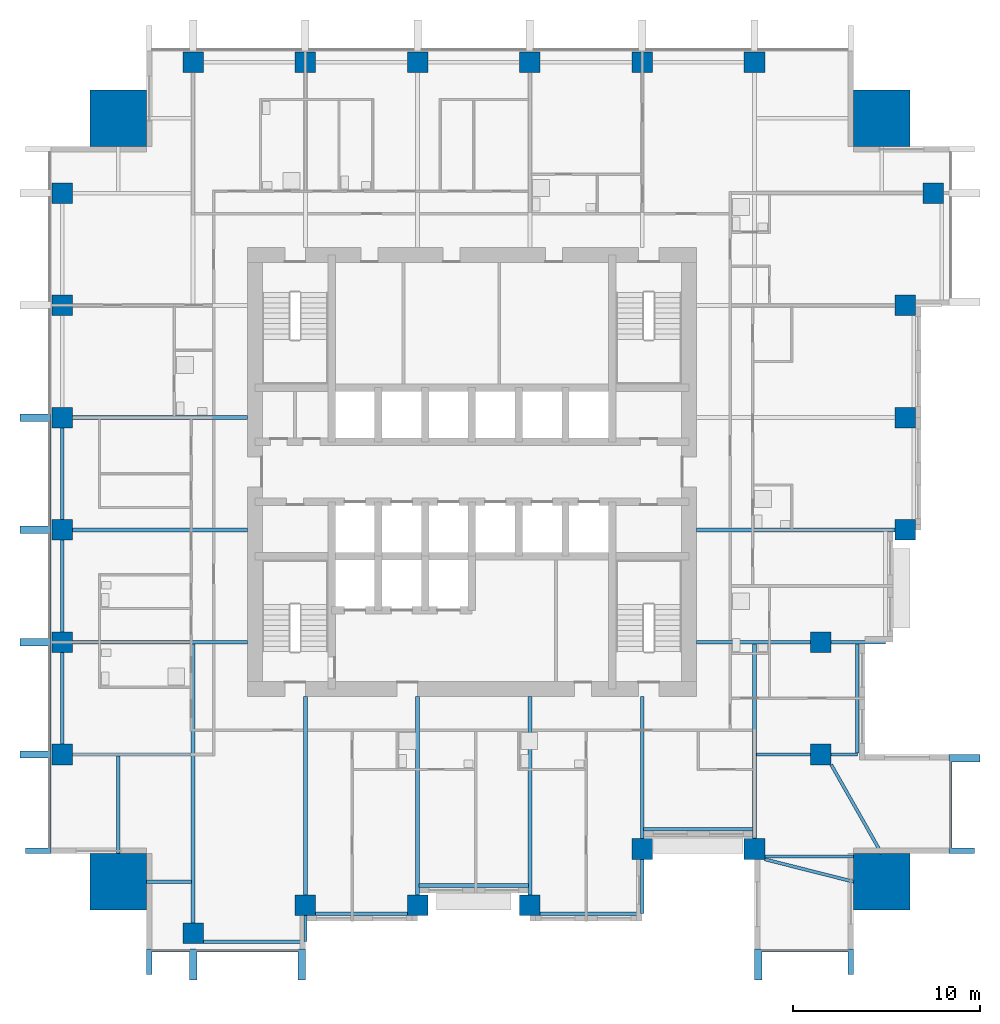
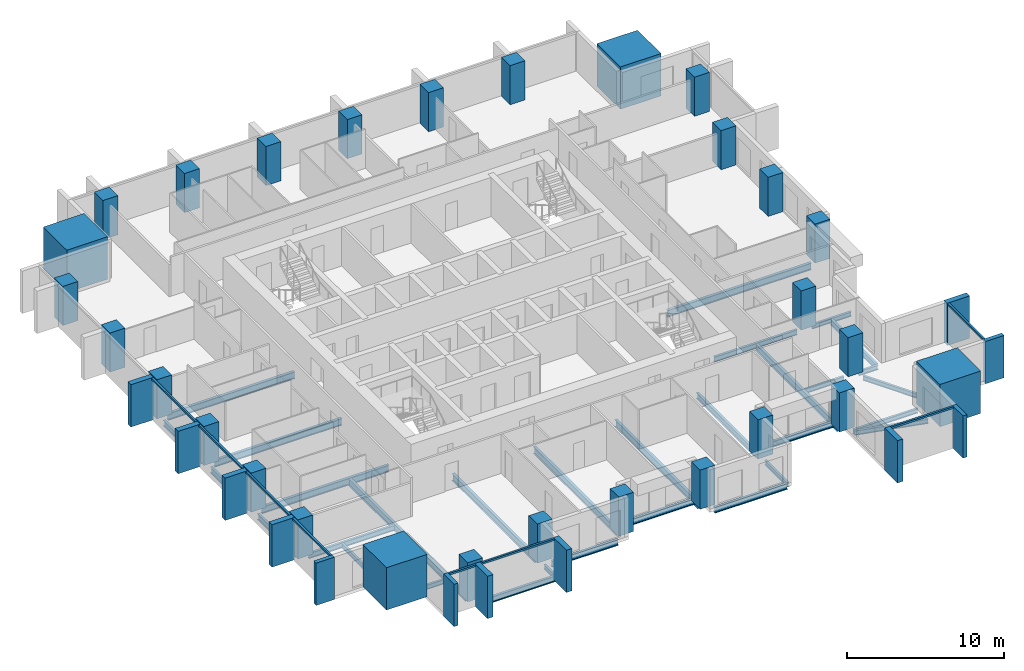
# One storey, part 1 of 10: 31 beams, 28 columns, 20 members, 4 elements without a shape of their own.
"""IFC4 building model written with IfcOpenShell, lengths in metres."""

from ifc_helpers import new_model, si_unit, direction, frame, origin, origin_2d, place, context, subcontext, project, spatial, rectangle, i_section, extrude, material, material_profile, profile_set, type_object, element, aggregate, save


model = new_model("IFC4")

# Units and contexts
model_context = context("Model", 3, precision=1e-05, world=origin(), true_north=direction((0.0, 1.0)))
body_context = subcontext(model_context, "Body", "Model", "MODEL_VIEW")
ifc_project = project(units=[si_unit("LENGTHUNIT", "METRE"), si_unit("AREAUNIT", "SQUARE_METRE"), si_unit("VOLUMEUNIT", "CUBIC_METRE"), si_unit("PLANEANGLEUNIT", "RADIAN"), si_unit("MASSUNIT", "GRAM", prefix="KILO")], contexts=[model_context])

# Site, building, storey
site_placement = place(None, origin())
site = spatial("IfcSite", under=ifc_project, at=site_placement, CompositionType="ELEMENT")
building_placement = place(site_placement, origin())
building = spatial("IfcBuilding", under=site, at=building_placement, Name="Amberfall Residences", CompositionType="ELEMENT")
storey_placement = place(building_placement, frame((0.0, 0.0, 118.300048828125)))
storey = spatial("IfcBuildingStorey", under=building, at=storey_placement, Name="L32", CompositionType="ELEMENT", Elevation=118.300048828125)

# Columns
ifc_material_1 = material(Name="Concrete C70", Category="concrete")
ifc_material_profile_1 = material_profile(ifc_material_1, rectangle(XDim=1.10009765625, YDim=1.10009765625, at=origin_2d()), Name="Column 1100 x 1100 C70")
ifc_profile_set_1 = profile_set([ifc_material_profile_1], Name="Concrete C70")
column_type_1 = type_object("IfcColumnType", Name="Column 1100 x 1100 C70", PredefinedType="COLUMN", material=ifc_profile_set_1)
for number, where, z_axis, x_axis, name in (
    (1, (59.60009765625, 20.85009765625, 0.0), (0.0, 0.0, 1.0), (1.0, 0.0, 0.0), "Column C2 L32 S1"),
    (2, (65.60009765625, 22.35009765625, 0.0), (0.0, 0.0, 1.0), (1.0, 0.0, 0.0), "Column C2 L32 S2"),
    (3, (71.60009765625, 22.35009765625, 0.0), (0.0, 0.0, 1.0), (1.0, 0.0, 0.0), "Column C2 L32 S3"),
    (4, (77.60009765625, 22.35009765625, 0.0), (0.0, 0.0, 1.0), (1.0, 0.0, 0.0), "Column C2 L32 S4"),
    (5, (83.60009765625, 25.35009765625, 0.0), (0.0, 0.0, 1.0), (1.0, 0.0, 0.0), "Column C2 L32 S5"),
    (6, (89.60009765625, 25.35009765625, 0.0), (0.0, 0.0, 1.0), (1.0, 0.0, 0.0), "Column C2 L32 S6"),
    (7, (93.14990234375, 30.39990234375, 0.0), (0.0, 0.0, 1.0), (1.0, 0.0, 0.0), "Column C2 L32 E1"),
    (8, (93.14990234375, 36.39990234375, 0.0), (0.0, 0.0, 1.0), (1.0, 0.0, 0.0), "Column C2 L32 E2"),
    (9, (97.64990234375, 42.39990234375, 0.0), (0.0, 0.0, 1.0), (1.0, 0.0, 0.0), "Column C2 L32 E3"),
    (10, (97.64990234375, 48.39990234375, 0.0), (0.0, 0.0, 1.0), (1.0, 0.0, 0.0), "Column C2 L32 E4"),
    (11, (97.64990234375, 54.39990234375, 0.0), (0.0, 0.0, 1.0), (1.0, 0.0, 0.0), "Column C2 L32 E5"),
    (12, (99.14990234375, 60.39990234375, 0.0), (0.0, 0.0, 1.0), (1.0, 0.0, 0.0), "Column C2 L32 E6"),
    (13, (59.60009765625, 67.39990234375, 0.0), (0.0, 0.0, 1.0), (1.0, 0.0, 0.0), "Column C2 L32 N1"),
    (14, (65.60009765625, 67.39990234375, 0.0), (0.0, 0.0, 1.0), (1.0, 0.0, 0.0), "Column C2 L32 N2"),
    (15, (71.60009765625, 67.39990234375, 0.0), (0.0, 0.0, 1.0), (1.0, 0.0, 0.0), "Column C2 L32 N3"),
    (16, (77.60009765625, 67.39990234375, 0.0), (0.0, 0.0, 1.0), (1.0, 0.0, 0.0), "Column C2 L32 N4"),
    (17, (83.60009765625, 67.39990234375, 0.0), (0.0, 0.0, 1.0), (1.0, 0.0, 0.0), "Column C2 L32 N5"),
    (18, (89.60009765625, 67.39990234375, 0.0), (0.0, 0.0, 1.0), (1.0, 0.0, 0.0), "Column C2 L32 N6"),
    (19, (52.60009765625, 30.39990234375, 0.0), (0.0, 0.0, 1.0), (1.0, 0.0, 0.0), "Column C2 L32 W1"),
    (20, (52.60009765625, 36.39990234375, 0.0), (0.0, 0.0, 1.0), (1.0, 0.0, 0.0), "Column C2 L32 W2"),
    (21, (52.60009765625, 42.39990234375, 0.0), (0.0, 0.0, 1.0), (1.0, 0.0, 0.0), "Column C2 L32 W3"),
    (22, (52.60009765625, 48.39990234375, 0.0), (0.0, 0.0, 1.0), (1.0, 0.0, 0.0), "Column C2 L32 W4"),
    (23, (52.60009765625, 54.39990234375, 0.0), (0.0, 0.0, 1.0), (1.0, 0.0, 0.0), "Column C2 L32 W5"),
    (24, (52.60009765625, 60.39990234375, 0.0), (0.0, 0.0, 1.0), (1.0, 0.0, 0.0), "Column C2 L32 W6"),
):
    element("IfcColumn", number, at=place(storey_placement, frame(where, z_axis=z_axis, x_axis=x_axis)), inside=storey, type_object=column_type_1, Name=name, PredefinedType="COLUMN", context=body_context, shape_type="SweptSolid", body=[
        extrude(rectangle(XDim=1.10009765625, YDim=1.10009765625, at=origin_2d()), origin(), (0.0, 0.0, 1.0), 3.050048828125),
    ])
ifc_material_profile_2 = material_profile(ifc_material_1, rectangle(XDim=3.0, YDim=3.0, at=origin_2d()), Name="Mega column 3000 x 3000 C70")
ifc_profile_set_2 = profile_set([ifc_material_profile_2], Name="Concrete C70")
column_type_2 = type_object("IfcColumnType", Name="Mega column 3000 x 3000 C70", PredefinedType="COLUMN", material=ifc_profile_set_2)
for number, where, z_axis, x_axis, name in (
    (25, (55.60009765625, 23.60009765625, 0.0), (0.0, 0.0, 1.0), (1.0, 0.0, 0.0), "Mega column MC2 L32 SW"),
    (26, (96.39990234375, 23.60009765625, 0.0), (0.0, 0.0, 1.0), (1.0, 0.0, 0.0), "Mega column MC2 L32 SE"),
    (27, (96.39990234375, 64.39990234375, 0.0), (0.0, 0.0, 1.0), (1.0, 0.0, 0.0), "Mega column MC2 L32 NE"),
    (28, (55.60009765625, 64.39990234375, 0.0), (0.0, 0.0, 1.0), (1.0, 0.0, 0.0), "Mega column MC2 L32 NW"),
):
    element("IfcColumn", number, at=place(storey_placement, frame(where, z_axis=z_axis, x_axis=x_axis)), inside=storey, type_object=column_type_2, Name=name, PredefinedType="COLUMN", context=body_context, shape_type="SweptSolid", body=[
        extrude(rectangle(XDim=3.0, YDim=3.0, at=origin_2d()), origin(), (0.0, 0.0, 1.0), 3.300048828125),
    ])

# Curtain wall, members
ifc_material_2 = material(Name="Bronze anodised aluminium and glass", Category="aluminium")
curtain_wall_type = type_object("IfcCurtainWallType", Name="Curtain wall CW1 tower unit", PredefinedType="USERDEFINED", material=ifc_material_2)
curtain_wall_1_placement = place(storey_placement, origin())
curtain_wall_1 = element("IfcCurtainWall", 29, at=curtain_wall_1_placement, inside=storey, type_object=curtain_wall_type, Name="Curtain wall L32 S S1", ObjectType="UNITISED CURTAIN WALL", PredefinedType="USERDEFINED")
ifc_material_3 = material(Name="Bronze anodised aluminium", Category="aluminium")
ifc_material_profile_3 = material_profile(ifc_material_3, rectangle(XDim=0.14990234375, YDim=0.14990234375, at=origin_2d()), Name="CW1 transom 150 x 150 bronze")
ifc_profile_set_3 = profile_set([ifc_material_profile_3], Name="Bronze anodised aluminium")
member_type_1 = type_object("IfcMemberType", Name="CW1 transom 150 x 150 bronze", PredefinedType="USERDEFINED", material=ifc_profile_set_3)
member_1_placement = place(storey_placement, frame((57.39990234375, 19.925048828125, 2.974853515625), z_axis=(1.0, 0.0, 0.0), x_axis=(0.0, 1.0, 0.0)))
member_1 = element("IfcMember", 30, at=member_1_placement, type_object=member_type_1, Name="CW1 transom 1.1", ObjectType="TRANSOM", PredefinedType="USERDEFINED", context=body_context, shape_type="SweptSolid", body=[
    extrude(rectangle(XDim=0.14990234375, YDim=0.14990234375, at=origin_2d()), origin(), (0.0, 0.0, 1.0), 2.0),
])
member_2_placement = place(storey_placement, frame((59.800048828125, 19.925048828125, 2.974853515625), z_axis=(1.0, 0.0, 0.0), x_axis=(0.0, 1.0, 0.0)))
member_2 = element("IfcMember", 31, at=member_2_placement, type_object=member_type_1, Name="CW1 transom 2.1", ObjectType="TRANSOM", PredefinedType="USERDEFINED", context=body_context, shape_type="SweptSolid", body=[
    extrude(rectangle(XDim=0.14990234375, YDim=0.14990234375, at=origin_2d()), origin(), (0.0, 0.0, 1.0), 5.39990234375),
])

# Curtain wall, member
curtain_wall_2_placement = place(storey_placement, origin())
curtain_wall_2 = element("IfcCurtainWall", 32, at=curtain_wall_2_placement, inside=storey, type_object=curtain_wall_type, Name="Curtain wall L32 S S11", ObjectType="UNITISED CURTAIN WALL", PredefinedType="USERDEFINED")
member_3_placement = place(storey_placement, frame((90.0, 19.925048828125, 2.974853515625), z_axis=(1.0, 0.0, 0.0), x_axis=(0.0, 1.0, 0.0)))
member_3 = element("IfcMember", 33, at=member_3_placement, type_object=member_type_1, Name="CW1 transom 1.1", ObjectType="TRANSOM", PredefinedType="USERDEFINED", context=body_context, shape_type="SweptSolid", body=[
    extrude(rectangle(XDim=0.14990234375, YDim=0.14990234375, at=origin_2d()), origin(), (0.0, 0.0, 1.0), 4.60009765625),
])

curtain_wall_3_placement = place(storey_placement, origin())
curtain_wall_3 = element("IfcCurtainWall", 34, at=curtain_wall_3_placement, inside=storey, type_object=curtain_wall_type, Name="Curtain wall L32 E E1", ObjectType="UNITISED CURTAIN WALL", PredefinedType="USERDEFINED")
member_4_placement = place(storey_placement, frame((100.074951171875, 25.39990234375, 2.974853515625), z_axis=(0.0, 1.0, 0.0), x_axis=(-1.0, 0.0, 0.0)))
member_4 = element("IfcMember", 35, at=member_4_placement, type_object=member_type_1, Name="CW1 transom 1.1", ObjectType="TRANSOM", PredefinedType="USERDEFINED", context=body_context, shape_type="SweptSolid", body=[
    extrude(rectangle(XDim=0.14990234375, YDim=0.14990234375, at=origin_2d()), origin(), (0.0, 0.0, 1.0), 4.60009765625),
])

# Curtain wall, members
curtain_wall_4_placement = place(storey_placement, origin())
curtain_wall_4 = element("IfcCurtainWall", 36, at=curtain_wall_4_placement, inside=storey, type_object=curtain_wall_type, Name="Curtain wall L32 W W1", ObjectType="UNITISED CURTAIN WALL", PredefinedType="USERDEFINED")
member_5_placement = place(storey_placement, frame((51.925048828125, 48.199951171875, 2.974853515625), z_axis=(0.0, -1.0, 0.0), x_axis=(1.0, 0.0, 0.0)))
member_5 = element("IfcMember", 37, at=member_5_placement, type_object=member_type_1, Name="CW1 transom 4.1", ObjectType="TRANSOM", PredefinedType="USERDEFINED", context=body_context, shape_type="SweptSolid", body=[
    extrude(rectangle(XDim=0.14990234375, YDim=0.14990234375, at=origin_2d()), origin(), (0.0, 0.0, 1.0), 5.599853515625),
])
member_6_placement = place(storey_placement, frame((51.925048828125, 42.199951171875, 2.974853515625), z_axis=(0.0, -1.0, 0.0), x_axis=(1.0, 0.0, 0.0)))
member_6 = element("IfcMember", 38, at=member_6_placement, type_object=member_type_1, Name="CW1 transom 5.1", ObjectType="TRANSOM", PredefinedType="USERDEFINED", context=body_context, shape_type="SweptSolid", body=[
    extrude(rectangle(XDim=0.14990234375, YDim=0.14990234375, at=origin_2d()), origin(), (0.0, 0.0, 1.0), 5.599853515625),
])
member_7_placement = place(storey_placement, frame((51.925048828125, 36.199951171875, 2.974853515625), z_axis=(0.0, -1.0, 0.0), x_axis=(1.0, 0.0, 0.0)))
member_7 = element("IfcMember", 39, at=member_7_placement, type_object=member_type_1, Name="CW1 transom 6.1", ObjectType="TRANSOM", PredefinedType="USERDEFINED", context=body_context, shape_type="SweptSolid", body=[
    extrude(rectangle(XDim=0.14990234375, YDim=0.14990234375, at=origin_2d()), origin(), (0.0, 0.0, 1.0), 5.599853515625),
])
member_8_placement = place(storey_placement, frame((51.925048828125, 30.199951171875, 2.974853515625), z_axis=(0.0, -1.0, 0.0), x_axis=(1.0, 0.0, 0.0)))
member_8 = element("IfcMember", 40, at=member_8_placement, type_object=member_type_1, Name="CW1 transom 7.1", ObjectType="TRANSOM", PredefinedType="USERDEFINED", context=body_context, shape_type="SweptSolid", body=[
    extrude(rectangle(XDim=0.14990234375, YDim=0.14990234375, at=origin_2d()), origin(), (0.0, 0.0, 1.0), 4.800048828125),
])

# Beams
ifc_material_4 = material(Name="Steel S355", Category="steel")
ifc_material_profile_4 = material_profile(ifc_material_4, i_section(OverallWidth=0.171142578125, OverallDepth=0.351318359375, WebThickness=0.007080078125, FlangeThickness=0.009765625, FilletRadius=0.01025390625, at=origin_2d()), Name="UB 356x171x45")
ifc_profile_set_4 = profile_set([ifc_material_profile_4], Name="Steel S355")
beam_type_1 = type_object("IfcBeamType", Name="Cantilever girder UB 356x171x45", PredefinedType="BEAM", material=ifc_profile_set_4)
beam_1_placement = place(storey_placement, frame((65.60009765625, 21.800048828125, -0.42578125), z_axis=(0.0, -1.0, 0.0), x_axis=(1.0, 0.0, 0.0)))
element("IfcBeam", 41, at=beam_1_placement, inside=storey, type_object=beam_type_1, Name="Cantilever girder B8 L32 06", PredefinedType="BEAM", context=body_context, shape_type="SweptSolid", body=[
    extrude(i_section(OverallWidth=0.171142578125, OverallDepth=0.351318359375, WebThickness=0.007080078125, FlangeThickness=0.009765625, FilletRadius=0.01025390625, at=origin_2d()), origin(), (0.0, 0.0, 1.0), 1.400146484375),
])
beam_2_placement = place(storey_placement, frame((83.60009765625, 24.800048828125, -0.42578125), z_axis=(0.0, -1.0, 0.0), x_axis=(1.0, 0.0, 0.0)))
element("IfcBeam", 42, at=beam_2_placement, inside=storey, type_object=beam_type_1, Name="Cantilever girder B8 L32 07", PredefinedType="BEAM", context=body_context, shape_type="SweptSolid", body=[
    extrude(i_section(OverallWidth=0.171142578125, OverallDepth=0.351318359375, WebThickness=0.007080078125, FlangeThickness=0.009765625, FilletRadius=0.01025390625, at=origin_2d()), origin(), (0.0, 0.0, 1.0), 2.900146484375),
])
beam_3_placement = place(storey_placement, frame((93.699951171875, 30.39990234375, -0.42578125), z_axis=(1.0, 0.0, 0.0), x_axis=(0.0, 1.0, 0.0)))
element("IfcBeam", 43, at=beam_3_placement, inside=storey, type_object=beam_type_1, Name="Cantilever girder B8 L32 19", PredefinedType="BEAM", context=body_context, shape_type="SweptSolid", body=[
    extrude(i_section(OverallWidth=0.171142578125, OverallDepth=0.351318359375, WebThickness=0.007080078125, FlangeThickness=0.009765625, FilletRadius=0.01025390625, at=origin_2d()), origin(), (0.0, 0.0, 1.0), 1.400146484375),
])
beam_4_placement = place(storey_placement, frame((93.699951171875, 36.39990234375, -0.42578125), z_axis=(1.0, 0.0, 0.0), x_axis=(0.0, 1.0, 0.0)))
element("IfcBeam", 44, at=beam_4_placement, inside=storey, type_object=beam_type_1, Name="Cantilever girder B8 L32 20", PredefinedType="BEAM", context=body_context, shape_type="SweptSolid", body=[
    extrude(i_section(OverallWidth=0.171142578125, OverallDepth=0.351318359375, WebThickness=0.007080078125, FlangeThickness=0.009765625, FilletRadius=0.01025390625, at=origin_2d()), origin(), (0.0, 0.0, 1.0), 2.900146484375),
])

# Member
ifc_material_profile_5 = material_profile(ifc_material_3, rectangle(XDim=1.35009765625, YDim=0.300048828125, at=origin_2d()), Name="Corner fin 300 x 1350 bronze")
ifc_profile_set_5 = profile_set([ifc_material_profile_5], Name="Bronze anodised aluminium")
member_type_2 = type_object("IfcMemberType", Name="Corner fin 300 x 1350 bronze", PredefinedType="MULLION", material=ifc_profile_set_5)
member_9_placement = place(storey_placement, frame((57.25, 19.324951171875, -0.25), z_axis=(0.0, 0.0, 1.0), x_axis=(0.0, 1.0, 0.0)))
member_9 = element("IfcMember", 45, at=member_9_placement, type_object=member_type_2, Name="CW FIN 1", PredefinedType="MULLION", context=body_context, shape_type="SweptSolid", body=[
    extrude(rectangle(XDim=1.35009765625, YDim=0.300048828125, at=origin_2d()), origin(), (0.0, 0.0, 1.0), 3.300048828125),
])

member_10_placement = place(storey_placement, frame((94.75, 19.324951171875, -0.25), z_axis=(0.0, 0.0, 1.0), x_axis=(0.0, 1.0, 0.0)))
member_10 = element("IfcMember", 46, at=member_10_placement, type_object=member_type_2, Name="CW FIN 2", PredefinedType="MULLION", context=body_context, shape_type="SweptSolid", body=[
    extrude(rectangle(XDim=1.35009765625, YDim=0.300048828125, at=origin_2d()), origin(), (0.0, 0.0, 1.0), 3.300048828125),
])

member_11_placement = place(storey_placement, frame((100.675048828125, 25.25, -0.25), z_axis=(0.0, 0.0, 1.0), x_axis=(-1.0, 0.0, 0.0)))
member_11 = element("IfcMember", 47, at=member_11_placement, type_object=member_type_2, Name="CW FIN 1", PredefinedType="MULLION", context=body_context, shape_type="SweptSolid", body=[
    extrude(rectangle(XDim=1.35009765625, YDim=0.300048828125, at=origin_2d()), origin(), (0.0, 0.0, 1.0), 3.300048828125),
])

member_12_placement = place(storey_placement, frame((51.324951171875, 25.25, -0.25), z_axis=(0.0, 0.0, 1.0), x_axis=(1.0, 0.0, 0.0)))
member_12 = element("IfcMember", 48, at=member_12_placement, type_object=member_type_2, Name="CW FIN 8", PredefinedType="MULLION", context=body_context, shape_type="SweptSolid", body=[
    extrude(rectangle(XDim=1.35009765625, YDim=0.300048828125, at=origin_2d()), origin(), (0.0, 0.0, 1.0), 3.300048828125),
])

# Beams
ifc_material_profile_6 = material_profile(ifc_material_4, i_section(OverallWidth=0.18994140625, OverallDepth=0.453369140625, WebThickness=0.008544921875, FlangeThickness=0.0126953125, FilletRadius=0.01025390625, at=origin_2d()), Name="UB 457x191x67")
ifc_profile_set_6 = profile_set([ifc_material_profile_6], Name="Steel S355")
beam_type_2 = type_object("IfcBeamType", Name="Edge beam UB 457x191x67", PredefinedType="SPANDREL", material=ifc_profile_set_6)
beam_5_placement = place(storey_placement, frame((60.14990234375, 20.39990234375, -0.476806640625), z_axis=(1.0, 0.0, 0.0), x_axis=(0.0, 1.0, 0.0)))
element("IfcBeam", 49, at=beam_5_placement, inside=storey, type_object=beam_type_2, Name="Edge beam B1 L32 01", PredefinedType="SPANDREL", context=body_context, shape_type="SweptSolid", body=[
    extrude(i_section(OverallWidth=0.18994140625, OverallDepth=0.453369140625, WebThickness=0.008544921875, FlangeThickness=0.0126953125, FilletRadius=0.01025390625, at=origin_2d()), origin(), (0.0, 0.0, 1.0), 5.3701171875),
])
beam_6_placement = place(storey_placement, frame((66.14990234375, 21.89990234375, -0.476806640625), z_axis=(1.0, 0.0, 0.0), x_axis=(0.0, 1.0, 0.0)))
element("IfcBeam", 50, at=beam_6_placement, inside=storey, type_object=beam_type_2, Name="Edge beam B1 L32 02", PredefinedType="SPANDREL", context=body_context, shape_type="SweptSolid", body=[
    extrude(i_section(OverallWidth=0.18994140625, OverallDepth=0.453369140625, WebThickness=0.008544921875, FlangeThickness=0.0126953125, FilletRadius=0.01025390625, at=origin_2d()), origin(), (0.0, 0.0, 1.0), 4.900146484375),
])
beam_7_placement = place(storey_placement, frame((71.679931640625, 23.39990234375, -0.476806640625), z_axis=(1.0, 0.0, 0.0), x_axis=(0.0, 1.0, 0.0)))
element("IfcBeam", 51, at=beam_7_placement, inside=storey, type_object=beam_type_2, Name="Edge beam B1 L32 03", PredefinedType="SPANDREL", context=body_context, shape_type="SweptSolid", body=[
    extrude(i_section(OverallWidth=0.18994140625, OverallDepth=0.453369140625, WebThickness=0.008544921875, FlangeThickness=0.0126953125, FilletRadius=0.01025390625, at=origin_2d()), origin(), (0.0, 0.0, 1.0), 5.840087890625),
])
beam_8_placement = place(storey_placement, frame((78.14990234375, 21.89990234375, -0.476806640625), z_axis=(1.0, 0.0, 0.0), x_axis=(0.0, 1.0, 0.0)))
element("IfcBeam", 52, at=beam_8_placement, inside=storey, type_object=beam_type_2, Name="Edge beam B1 L32 04", PredefinedType="SPANDREL", context=body_context, shape_type="SweptSolid", body=[
    extrude(i_section(OverallWidth=0.18994140625, OverallDepth=0.453369140625, WebThickness=0.008544921875, FlangeThickness=0.0126953125, FilletRadius=0.01025390625, at=origin_2d()), origin(), (0.0, 0.0, 1.0), 5.3701171875),
])
for number, where, z_axis, x_axis, name in (
    (53, (83.679931640625, 26.39990234375, -0.476806640625), (1.0, 0.0, 0.0), (0.0, 1.0, 0.0), "Edge beam B1 L32 05"),
    (54, (95.10009765625, 30.47998046875, -0.476806640625), (0.0, 1.0, 0.0), (-1.0, 0.0, 0.0), "Edge beam B1 L32 14"),
):
    element("IfcBeam", number, at=place(storey_placement, frame(where, z_axis=z_axis, x_axis=x_axis)), inside=storey, type_object=beam_type_2, Name=name, PredefinedType="SPANDREL", context=body_context, shape_type="SweptSolid", body=[
        extrude(i_section(OverallWidth=0.18994140625, OverallDepth=0.453369140625, WebThickness=0.008544921875, FlangeThickness=0.0126953125, FilletRadius=0.01025390625, at=origin_2d()), origin(), (0.0, 0.0, 1.0), 5.840087890625),
    ])
for number, where, z_axis, x_axis, name in (
    (55, (52.60009765625, 30.949951171875, -0.476806640625), (0.0, 1.0, 0.0), (-1.0, 0.0, 0.0), "Edge beam B1 L32 39"),
    (56, (52.60009765625, 36.949951171875, -0.476806640625), (0.0, 1.0, 0.0), (-1.0, 0.0, 0.0), "Edge beam B1 L32 40"),
    (57, (52.60009765625, 42.949951171875, -0.476806640625), (0.0, 1.0, 0.0), (-1.0, 0.0, 0.0), "Edge beam B1 L32 41"),
):
    element("IfcBeam", number, at=place(storey_placement, frame(where, z_axis=z_axis, x_axis=x_axis)), inside=storey, type_object=beam_type_2, Name=name, PredefinedType="SPANDREL", context=body_context, shape_type="SweptSolid", body=[
        extrude(i_section(OverallWidth=0.18994140625, OverallDepth=0.453369140625, WebThickness=0.008544921875, FlangeThickness=0.0126953125, FilletRadius=0.01025390625, at=origin_2d()), origin(), (0.0, 0.0, 1.0), 4.900146484375),
    ])

# Member
ifc_material_profile_7 = material_profile(ifc_material_3, rectangle(XDim=1.64990234375, YDim=0.39990234375, at=origin_2d()), Name="Fin 400 x 1650 bronze")
ifc_profile_set_7 = profile_set([ifc_material_profile_7], Name="Bronze anodised aluminium")
member_type_3 = type_object("IfcMemberType", Name="Fin 400 x 1650 bronze", PredefinedType="MULLION", material=ifc_profile_set_7)
member_13_placement = place(storey_placement, frame((59.60009765625, 19.175048828125, -0.25), z_axis=(0.0, 0.0, 1.0), x_axis=(0.0, 1.0, 0.0)))
member_13 = element("IfcMember", 58, at=member_13_placement, type_object=member_type_3, Name="CW FIN 2", PredefinedType="MULLION", context=body_context, shape_type="SweptSolid", body=[
    extrude(rectangle(XDim=1.64990234375, YDim=0.39990234375, at=origin_2d()), origin(), (0.0, 0.0, 1.0), 3.300048828125),
])

member_14_placement = place(storey_placement, frame((65.39990234375, 19.175048828125, -0.25), z_axis=(0.0, 0.0, 1.0), x_axis=(0.0, 1.0, 0.0)))
member_14 = element("IfcMember", 59, at=member_14_placement, type_object=member_type_3, Name="CW FIN 3", PredefinedType="MULLION", context=body_context, shape_type="SweptSolid", body=[
    extrude(rectangle(XDim=1.64990234375, YDim=0.39990234375, at=origin_2d()), origin(), (0.0, 0.0, 1.0), 3.300048828125),
])

aggregate(curtain_wall_1, [member_9, member_13, member_14, member_1, member_2])

member_15_placement = place(storey_placement, frame((89.800048828125, 19.175048828125, -0.25), z_axis=(0.0, 0.0, 1.0), x_axis=(0.0, 1.0, 0.0)))
member_15 = element("IfcMember", 60, at=member_15_placement, type_object=member_type_3, Name="CW FIN 1", PredefinedType="MULLION", context=body_context, shape_type="SweptSolid", body=[
    extrude(rectangle(XDim=1.64990234375, YDim=0.39990234375, at=origin_2d()), origin(), (0.0, 0.0, 1.0), 3.300048828125),
])

aggregate(curtain_wall_2, [member_15, member_10, member_3])

member_16_placement = place(storey_placement, frame((100.824951171875, 30.199951171875, -0.25), z_axis=(0.0, 0.0, 1.0), x_axis=(-1.0, 0.0, 0.0)))
member_16 = element("IfcMember", 61, at=member_16_placement, type_object=member_type_3, Name="CW FIN 2", PredefinedType="MULLION", context=body_context, shape_type="SweptSolid", body=[
    extrude(rectangle(XDim=1.64990234375, YDim=0.39990234375, at=origin_2d()), origin(), (0.0, 0.0, 1.0), 3.300048828125),
])

aggregate(curtain_wall_3, [member_11, member_16, member_4])

member_17_placement = place(storey_placement, frame((51.175048828125, 48.39990234375, -0.25), z_axis=(0.0, 0.0, 1.0), x_axis=(1.0, 0.0, 0.0)))
member_17 = element("IfcMember", 62, at=member_17_placement, type_object=member_type_3, Name="CW FIN 4", PredefinedType="MULLION", context=body_context, shape_type="SweptSolid", body=[
    extrude(rectangle(XDim=1.64990234375, YDim=0.39990234375, at=origin_2d()), origin(), (0.0, 0.0, 1.0), 3.300048828125),
])

member_18_placement = place(storey_placement, frame((51.175048828125, 42.39990234375, -0.25), z_axis=(0.0, 0.0, 1.0), x_axis=(1.0, 0.0, 0.0)))
member_18 = element("IfcMember", 63, at=member_18_placement, type_object=member_type_3, Name="CW FIN 5", PredefinedType="MULLION", context=body_context, shape_type="SweptSolid", body=[
    extrude(rectangle(XDim=1.64990234375, YDim=0.39990234375, at=origin_2d()), origin(), (0.0, 0.0, 1.0), 3.300048828125),
])

member_19_placement = place(storey_placement, frame((51.175048828125, 36.39990234375, -0.25), z_axis=(0.0, 0.0, 1.0), x_axis=(1.0, 0.0, 0.0)))
member_19 = element("IfcMember", 64, at=member_19_placement, type_object=member_type_3, Name="CW FIN 6", PredefinedType="MULLION", context=body_context, shape_type="SweptSolid", body=[
    extrude(rectangle(XDim=1.64990234375, YDim=0.39990234375, at=origin_2d()), origin(), (0.0, 0.0, 1.0), 3.300048828125),
])

member_20_placement = place(storey_placement, frame((51.175048828125, 30.39990234375, -0.25), z_axis=(0.0, 0.0, 1.0), x_axis=(1.0, 0.0, 0.0)))
member_20 = element("IfcMember", 65, at=member_20_placement, type_object=member_type_3, Name="CW FIN 7", PredefinedType="MULLION", context=body_context, shape_type="SweptSolid", body=[
    extrude(rectangle(XDim=1.64990234375, YDim=0.39990234375, at=origin_2d()), origin(), (0.0, 0.0, 1.0), 3.300048828125),
])

aggregate(curtain_wall_4, [member_17, member_18, member_19, member_20, member_12, member_5, member_6, member_7, member_8])

# Beams
ifc_material_profile_8 = material_profile(ifc_material_4, i_section(OverallWidth=0.171142578125, OverallDepth=0.351318359375, WebThickness=0.007080078125, FlangeThickness=0.009765625, FilletRadius=0.01025390625, at=origin_2d()), Name="UB 356x171x45")
ifc_profile_set_8 = profile_set([ifc_material_profile_8], Name="Steel S355")
beam_type_3 = type_object("IfcBeamType", Name="Floor girder UB 356x171x45", PredefinedType="BEAM", material=ifc_profile_set_8)
beam_9_placement = place(storey_placement, frame((92.60009765625, 30.39990234375, -0.42578125), z_axis=(-1.0, 0.0, 0.0), x_axis=(0.0, -1.0, 0.0)))
element("IfcBeam", 66, at=beam_9_placement, inside=storey, type_object=beam_type_3, Name="Floor girder B11 L32 22", PredefinedType="BEAM", context=body_context, shape_type="SweptSolid", body=[
    extrude(i_section(OverallWidth=0.171142578125, OverallDepth=0.351318359375, WebThickness=0.007080078125, FlangeThickness=0.009765625, FilletRadius=0.01025390625, at=origin_2d()), origin(), (0.0, 0.0, 1.0), 2.880126953125),
])
ifc_material_profile_9 = material_profile(ifc_material_4, i_section(OverallWidth=0.177734375, OverallDepth=0.402587890625, WebThickness=0.0078125, FlangeThickness=0.010986328125, FilletRadius=0.01025390625, at=origin_2d()), Name="UB 406x178x54")
ifc_profile_set_9 = profile_set([ifc_material_profile_9], Name="Steel S355")
beam_type_4 = type_object("IfcBeamType", Name="Floor girder UB 406x178x54", PredefinedType="BEAM", material=ifc_profile_set_9)
beam_10_placement = place(storey_placement, frame((92.60009765625, 36.39990234375, -0.451416015625), z_axis=(-1.0, 0.0, 0.0), x_axis=(0.0, -1.0, 0.0)))
element("IfcBeam", 67, at=beam_10_placement, inside=storey, type_object=beam_type_4, Name="Floor girder B4 L32 23", PredefinedType="BEAM", context=body_context, shape_type="SweptSolid", body=[
    extrude(i_section(OverallWidth=0.177734375, OverallDepth=0.402587890625, WebThickness=0.0078125, FlangeThickness=0.010986328125, FilletRadius=0.01025390625, at=origin_2d()), origin(), (0.0, 0.0, 1.0), 6.10009765625),
])
beam_11_placement = place(storey_placement, frame((53.14990234375, 30.39990234375, -0.451416015625), z_axis=(1.0, 0.0, 0.0), x_axis=(0.0, 1.0, 0.0)))
element("IfcBeam", 68, at=beam_11_placement, inside=storey, type_object=beam_type_4, Name="Floor girder B4 L32 44", PredefinedType="BEAM", context=body_context, shape_type="SweptSolid", body=[
    extrude(i_section(OverallWidth=0.177734375, OverallDepth=0.402587890625, WebThickness=0.0078125, FlangeThickness=0.010986328125, FilletRadius=0.01025390625, at=origin_2d()), origin(), (0.0, 0.0, 1.0), 6.330078125),
])
ifc_material_profile_10 = material_profile(ifc_material_4, i_section(OverallWidth=0.19140625, OverallDepth=0.4599609375, WebThickness=0.010009765625, FlangeThickness=0.01611328125, FilletRadius=0.01025390625, at=origin_2d()), Name="UB 457x191x82")
ifc_profile_set_10 = profile_set([ifc_material_profile_10], Name="Steel S355")
beam_type_5 = type_object("IfcBeamType", Name="Floor girder UB 457x191x82", PredefinedType="BEAM", material=ifc_profile_set_10)
beam_12_placement = place(storey_placement, frame((83.60009765625, 25.89990234375, -0.47998046875), z_axis=(0.0, 1.0, 0.0), x_axis=(-1.0, 0.0, 0.0)))
element("IfcBeam", 69, at=beam_12_placement, inside=storey, type_object=beam_type_5, Name="Floor girder B10 L32 12", PredefinedType="BEAM", context=body_context, shape_type="SweptSolid", body=[
    extrude(i_section(OverallWidth=0.19140625, OverallDepth=0.4599609375, WebThickness=0.010009765625, FlangeThickness=0.01611328125, FilletRadius=0.01025390625, at=origin_2d()), origin(), (0.0, 0.0, 1.0), 7.60009765625),
])
ifc_material_profile_11 = material_profile(ifc_material_4, i_section(OverallWidth=0.210693359375, OverallDepth=0.53955078125, WebThickness=0.01171875, FlangeThickness=0.018798828125, FilletRadius=0.0126953125, at=origin_2d()), Name="UB 533x210x109")
ifc_profile_set_11 = profile_set([ifc_material_profile_11], Name="Steel S355")
beam_type_6 = type_object("IfcBeamType", Name="Floor girder UB 533x210x109", PredefinedType="BEAM", material=ifc_profile_set_11)
beam_13_placement = place(storey_placement, frame((59.60009765625, 21.39990234375, -0.519775390625), z_axis=(0.0, 1.0, 0.0), x_axis=(-1.0, 0.0, 0.0)))
element("IfcBeam", 70, at=beam_13_placement, inside=storey, type_object=beam_type_6, Name="Floor girder B2 L32 08", PredefinedType="BEAM", context=body_context, shape_type="SweptSolid", body=[
    extrude(i_section(OverallWidth=0.210693359375, OverallDepth=0.53955078125, WebThickness=0.01171875, FlangeThickness=0.018798828125, FilletRadius=0.0126953125, at=origin_2d()), origin(), (0.0, 0.0, 1.0), 14.900390625),
])
ifc_material_profile_12 = material_profile(ifc_material_4, i_section(OverallWidth=0.209228515625, OverallDepth=0.533203125, WebThickness=0.010009765625, FlangeThickness=0.015625, FilletRadius=0.0126953125, at=origin_2d()), Name="UB 533x210x92")
ifc_profile_set_12 = profile_set([ifc_material_profile_12], Name="Steel S355")
beam_type_7 = type_object("IfcBeamType", Name="Floor girder UB 533x210x92", PredefinedType="BEAM", material=ifc_profile_set_12)
for number, where, z_axis, x_axis, name in (
    (71, (65.60009765625, 22.89990234375, -0.5166015625), (0.0, 1.0, 0.0), (-1.0, 0.0, 0.0), "Floor girder B3 L32 09"),
    (72, (71.60009765625, 22.89990234375, -0.5166015625), (0.0, 1.0, 0.0), (-1.0, 0.0, 0.0), "Floor girder B3 L32 10"),
    (73, (77.60009765625, 22.89990234375, -0.5166015625), (0.0, 1.0, 0.0), (-1.0, 0.0, 0.0), "Floor girder B3 L32 11"),
):
    element("IfcBeam", number, at=place(storey_placement, frame(where, z_axis=z_axis, x_axis=x_axis)), inside=storey, type_object=beam_type_7, Name=name, PredefinedType="BEAM", context=body_context, shape_type="SweptSolid", body=[
        extrude(i_section(OverallWidth=0.209228515625, OverallDepth=0.533203125, WebThickness=0.010009765625, FlangeThickness=0.015625, FilletRadius=0.0126953125, at=origin_2d()), origin(), (0.0, 0.0, 1.0), 10.60009765625),
    ])
beam_14_placement = place(storey_placement, frame((89.60009765625, 25.89990234375, -0.5166015625), z_axis=(0.0, 1.0, 0.0), x_axis=(-1.0, 0.0, 0.0)))
element("IfcBeam", 74, at=beam_14_placement, inside=storey, type_object=beam_type_7, Name="Floor girder B3 L32 13", PredefinedType="BEAM", context=body_context, shape_type="SweptSolid", body=[
    extrude(i_section(OverallWidth=0.209228515625, OverallDepth=0.533203125, WebThickness=0.010009765625, FlangeThickness=0.015625, FilletRadius=0.0126953125, at=origin_2d()), origin(), (0.0, 0.0, 1.0), 10.416259765625),
])
beam_15_placement = place(storey_placement, frame((97.10009765625, 42.39990234375, -0.5166015625), z_axis=(-1.0, 0.0, 0.0), x_axis=(0.0, -1.0, 0.0)))
element("IfcBeam", 75, at=beam_15_placement, inside=storey, type_object=beam_type_7, Name="Floor girder B3 L32 24", PredefinedType="BEAM", context=body_context, shape_type="SweptSolid", body=[
    extrude(i_section(OverallWidth=0.209228515625, OverallDepth=0.533203125, WebThickness=0.010009765625, FlangeThickness=0.015625, FilletRadius=0.0126953125, at=origin_2d()), origin(), (0.0, 0.0, 1.0), 10.60009765625),
])
for number, where, z_axis, x_axis, name in (
    (76, (53.14990234375, 36.39990234375, -0.5166015625), (1.0, 0.0, 0.0), (0.0, 1.0, 0.0), "Floor girder B3 L32 45"),
    (77, (53.14990234375, 42.39990234375, -0.5166015625), (1.0, 0.0, 0.0), (0.0, 1.0, 0.0), "Floor girder B3 L32 46"),
    (78, (53.14990234375, 48.39990234375, -0.5166015625), (1.0, 0.0, 0.0), (0.0, 1.0, 0.0), "Floor girder B3 L32 47"),
):
    element("IfcBeam", number, at=place(storey_placement, frame(where, z_axis=z_axis, x_axis=x_axis)), inside=storey, type_object=beam_type_7, Name=name, PredefinedType="BEAM", context=body_context, shape_type="SweptSolid", body=[
        extrude(i_section(OverallWidth=0.209228515625, OverallDepth=0.533203125, WebThickness=0.010009765625, FlangeThickness=0.015625, FilletRadius=0.0126953125, at=origin_2d()), origin(), (0.0, 0.0, 1.0), 9.35009765625),
    ])
ifc_material_profile_13 = material_profile(ifc_material_4, i_section(OverallWidth=0.171142578125, OverallDepth=0.351318359375, WebThickness=0.007080078125, FlangeThickness=0.009765625, FilletRadius=0.01025390625, at=origin_2d()), Name="UB 356x171x45")
ifc_profile_set_13 = profile_set([ifc_material_profile_13], Name="Steel S355")
beam_type_8 = type_object("IfcBeamType", Name="Link beam UB 356x171x45", PredefinedType="BEAM", material=ifc_profile_set_13)
beam_16_placement = place(storey_placement, frame((90.14990234375, 24.949951171875, -0.42578125), z_axis=(1.0, 0.0, 0.0), x_axis=(0.0, 1.0, 0.0)))
element("IfcBeam", 79, at=beam_16_placement, inside=storey, type_object=beam_type_8, Name="Link beam B7 L32 50", PredefinedType="BEAM", context=body_context, shape_type="SweptSolid", body=[
    extrude(i_section(OverallWidth=0.171142578125, OverallDepth=0.351318359375, WebThickness=0.007080078125, FlangeThickness=0.009765625, FilletRadius=0.01025390625, at=origin_2d()), origin(), (0.0, 0.0, 1.0), 4.75),
])
beam_17_placement = place(storey_placement, frame((57.10009765625, 23.60009765625, -0.42578125), z_axis=(1.0, 0.0, 0.0), x_axis=(0.0, 1.0, 0.0)))
element("IfcBeam", 80, at=beam_17_placement, inside=storey, type_object=beam_type_8, Name="Link beam B7 L32 51", PredefinedType="BEAM", context=body_context, shape_type="SweptSolid", body=[
    extrude(i_section(OverallWidth=0.171142578125, OverallDepth=0.351318359375, WebThickness=0.007080078125, FlangeThickness=0.009765625, FilletRadius=0.01025390625, at=origin_2d()), origin(), (0.0, 0.0, 1.0), 2.404541015625),
])
beam_18_placement = place(storey_placement, frame((55.60009765625, 25.10009765625, -0.42578125), z_axis=(0.0, 1.0, 0.0), x_axis=(-1.0, 0.0, 0.0)))
element("IfcBeam", 81, at=beam_18_placement, inside=storey, type_object=beam_type_8, Name="Link beam B7 L32 52", PredefinedType="BEAM", context=body_context, shape_type="SweptSolid", body=[
    extrude(i_section(OverallWidth=0.171142578125, OverallDepth=0.351318359375, WebThickness=0.007080078125, FlangeThickness=0.009765625, FilletRadius=0.01025390625, at=origin_2d()), origin(), (0.0, 0.0, 1.0), 5.22119140625),
])
beam_19_placement = place(storey_placement, frame((94.89990234375, 23.60009765625, -0.42578125), z_axis=(-0.969541561087, 0.244926848928, 0.0), x_axis=(-0.244926848928, -0.969541561087, 0.0)))
element("IfcBeam", 82, at=beam_19_placement, inside=storey, type_object=beam_type_8, Name="Link beam B7 L32 53", PredefinedType="BEAM", context=body_context, shape_type="SweptSolid", body=[
    extrude(i_section(OverallWidth=0.171142578125, OverallDepth=0.351318359375, WebThickness=0.007080078125, FlangeThickness=0.009765625, FilletRadius=0.01025390625, at=origin_2d()), origin(), (0.0, 0.0, 1.0), 4.899169921875),
])
beam_20_placement = place(storey_placement, frame((96.39990234375, 25.10009765625, -0.42578125), z_axis=(-0.494159870511, 0.869371049884, 0.0), x_axis=(-0.869371049884, -0.494159870511, 0.0)))
element("IfcBeam", 83, at=beam_20_placement, inside=storey, type_object=beam_type_8, Name="Link beam B7 L32 54", PredefinedType="BEAM", context=body_context, shape_type="SweptSolid", body=[
    extrude(i_section(OverallWidth=0.171142578125, OverallDepth=0.351318359375, WebThickness=0.007080078125, FlangeThickness=0.009765625, FilletRadius=0.01025390625, at=origin_2d()), origin(), (0.0, 0.0, 1.0), 5.463623046875),
])

save(model, "model.ifc")
